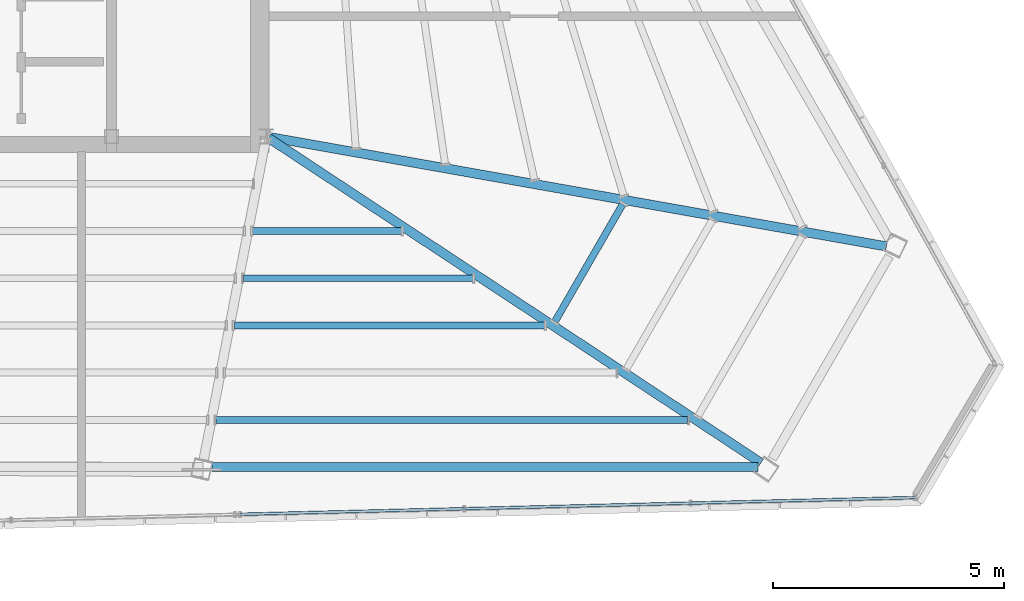
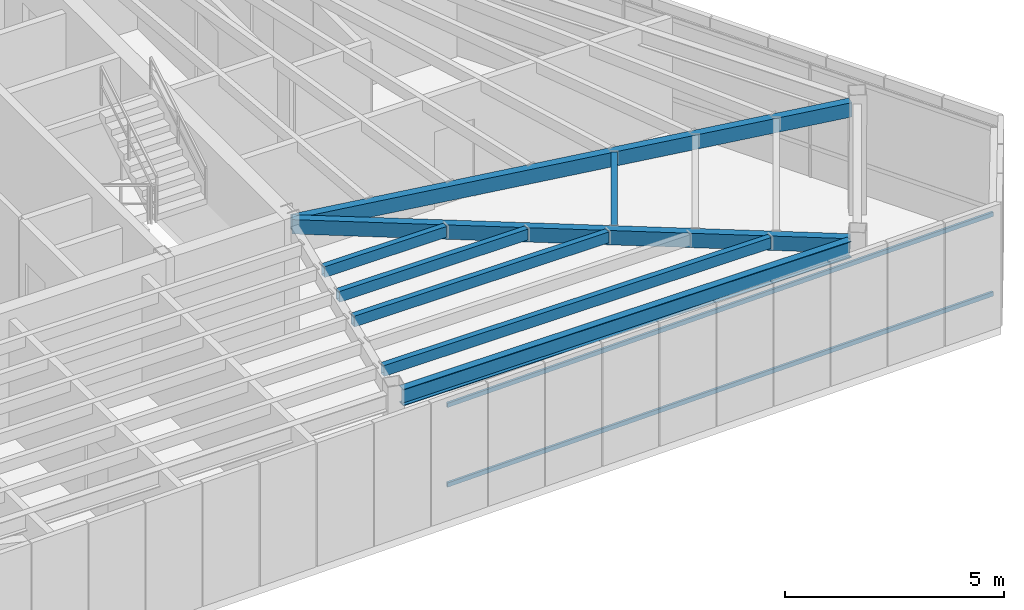
# One storey, part 22 of 48: 8 beams, 2 members, 1 element without a shape of its own.
"""IFC4 building model written with IfcOpenShell, lengths in metres."""

from ifc_helpers import new_model, si_unit, direction, frame, origin, origin_2d, place, context, subcontext, project, spatial, hollow_rectangle, i_section, extrude, source, transform, mapped, material, material_profile, profile_set, type_object, type_shapes, element, aggregate, save


model = new_model("IFC4")

# Units and contexts
model_context = context("Model", 3, precision=1e-05, world=origin(), true_north=direction((0.0, 1.0)))
body_context = subcontext(model_context, "Body", "Model", "MODEL_VIEW")
ifc_project = project(units=[si_unit("LENGTHUNIT", "METRE"), si_unit("AREAUNIT", "SQUARE_METRE"), si_unit("VOLUMEUNIT", "CUBIC_METRE"), si_unit("PLANEANGLEUNIT", "RADIAN"), si_unit("MASSUNIT", "GRAM", prefix="KILO")], contexts=[model_context])

# Site, building, storey
site_placement = place(None, origin())
site = spatial("IfcSite", under=ifc_project, at=site_placement, CompositionType="ELEMENT")
building_placement = place(site_placement, origin())
building = spatial("IfcBuilding", under=site, at=building_placement, Name="Caelisora Broadcast Tower", CompositionType="ELEMENT")
storey_placement = place(building_placement, frame((0.0, 0.0, 300.0)))
storey = spatial("IfcBuildingStorey", under=building, at=storey_placement, Name="L79", CompositionType="ELEMENT", Elevation=300.0)

# Beams
ifc_material_1 = material(Name="Steel Grade 350 (AS/NZS 3679.1)", Category="steel")
ifc_material_profile_1 = material_profile(ifc_material_1, i_section(OverallWidth=0.19091796875, OverallDepth=0.46044921875, WebThickness=0.010009765625, FlangeThickness=0.01611328125, at=origin_2d()), Name="Steel Grade 350 (AS/NZS 3679.1)")
ifc_profile_set_1 = profile_set([ifc_material_profile_1], Name="Steel Grade 350 (AS/NZS 3679.1)")
beam_type_1 = type_object("IfcBeamType", Name="PG06", PredefinedType="BEAM", material=ifc_profile_set_1)
shared_shape_1 = source(origin(), body_context, "Body", "SweptSolid", [
    extrude(i_section(OverallWidth=0.19091796875, OverallDepth=0.46044921875, WebThickness=0.010009765625, FlangeThickness=0.01611328125, at=origin_2d()), origin(), (0.0, 0.0, 1.0), 11.809326171875),
])
type_shapes(beam_type_1, [shared_shape_1])
beam_1_placement = place(storey_placement, frame((44.32080078125, 10.25, 2.919921875), z_axis=(1.0, 0.0, 0.0), x_axis=(0.0, 1.0, 0.0)))
element("IfcBeam", 1, at=beam_1_placement, inside=storey, type_object=beam_type_1, Name="L79 beam PG06", PredefinedType="BEAM", context=body_context, shape_type="MappedRepresentation", body=[
    mapped(shared_shape_1, transform((0.0, 0.0, 0.0), scale=1.0)),
])
ifc_material_2 = material(Name="Steel Grade 350 (AS/NZS 1163 C350L0)", Category="steel")
ifc_material_profile_2 = material_profile(ifc_material_2, hollow_rectangle(XDim=0.199951171875, YDim=0.39990234375, WallThickness=0.012451171875, at=origin_2d()), Name="Steel Grade 350 (AS/NZS 1163 C350L0)")
ifc_profile_set_2 = profile_set([ifc_material_profile_2], Name="Steel Grade 350 (AS/NZS 1163 C350L0)")
beam_type_2 = type_object("IfcBeamType", Name="PG07", PredefinedType="BEAM", material=ifc_profile_set_2)
shared_shape_2 = source(origin(), body_context, "Body", "SweptSolid", [
    extrude(hollow_rectangle(XDim=0.199951171875, YDim=0.39990234375, WallThickness=0.012451171875, at=origin_2d()), origin(), (0.0, 0.0, 1.0), 13.560546875),
])
beam_2_placement = place(storey_placement, frame((45.55908203125, 17.389404296875, 2.949951171875), z_axis=(0.984655515058, -0.174509359823, 0.0), x_axis=(0.174509359823, 0.984655515058, 0.0)))
element("IfcBeam", 2, at=beam_2_placement, inside=storey, type_object=beam_type_2, Name="L79 beam PG07", PredefinedType="BEAM", context=body_context, shape_type="MappedRepresentation", body=[
    mapped(shared_shape_2, transform((0.0, 0.0, 0.0), scale=1.0)),
])
shared_shape_3 = source(origin(), body_context, "Body", "SweptSolid", [
    extrude(hollow_rectangle(XDim=0.199951171875, YDim=0.39990234375, WallThickness=0.012451171875, at=origin_2d()), origin(), (0.0, 0.0, 1.0), 12.756103515625),
])
type_shapes(beam_type_2, [shared_shape_2, shared_shape_3])
beam_3_placement = place(storey_placement, frame((45.550048828125, 17.366943359375, 2.949951171875), z_axis=(0.83472588535, -0.550665684718, 0.0), x_axis=(0.550665684718, 0.83472588535, 0.0)))
element("IfcBeam", 3, at=beam_3_placement, inside=storey, type_object=beam_type_2, Name="L79 beam PG07", PredefinedType="BEAM", context=body_context, shape_type="MappedRepresentation", body=[
    mapped(shared_shape_3, transform((0.0, 0.0, 0.0), scale=1.0)),
])
ifc_material_profile_3 = material_profile(ifc_material_2, hollow_rectangle(XDim=0.14990234375, YDim=0.300048828125, WallThickness=0.010009765625, at=origin_2d()), Name="Steel Grade 350 (AS/NZS 1163 C350L0)")
ifc_profile_set_3 = profile_set([ifc_material_profile_3], Name="Steel Grade 350 (AS/NZS 1163 C350L0)")
beam_type_3 = type_object("IfcBeamType", Name="SB05", PredefinedType="JOIST", material=ifc_profile_set_3)
shared_shape_4 = source(origin(), body_context, "Body", "SweptSolid", [
    extrude(hollow_rectangle(XDim=0.14990234375, YDim=0.300048828125, WallThickness=0.010009765625, at=origin_2d()), origin(), (0.0, 0.0, 1.0), 2.929443359375),
])
beam_4_placement = place(storey_placement, frame((51.74169921875, 13.3984375, 3.0), z_axis=(0.500047088248, 0.865998215665, 0.0), x_axis=(-0.865998215665, 0.500047088248, 0.0)))
element("IfcBeam", 4, at=beam_4_placement, inside=storey, type_object=beam_type_3, Name="L79 beam SB05", PredefinedType="JOIST", context=body_context, shape_type="MappedRepresentation", body=[
    mapped(shared_shape_4, transform((0.0, 0.0, 0.0), scale=1.0)),
])
shared_shape_5 = source(origin(), body_context, "Body", "SweptSolid", [
    extrude(hollow_rectangle(XDim=0.14990234375, YDim=0.300048828125, WallThickness=0.010009765625, at=origin_2d()), origin(), (0.0, 0.0, 1.0), 3.215576171875),
])
beam_5_placement = place(storey_placement, frame((45.202392578125, 15.357177734375, 3.0), z_axis=(1.0, 0.0, 0.0), x_axis=(0.0, 1.0, 0.0)))
element("IfcBeam", 5, at=beam_5_placement, inside=storey, type_object=beam_type_3, Name="L79 beam SB05", PredefinedType="JOIST", context=body_context, shape_type="MappedRepresentation", body=[
    mapped(shared_shape_5, transform((0.0, 0.0, 0.0), scale=1.0)),
])
shared_shape_6 = source(origin(), body_context, "Body", "SweptSolid", [
    extrude(hollow_rectangle(XDim=0.14990234375, YDim=0.300048828125, WallThickness=0.010009765625, at=origin_2d()), origin(), (0.0, 0.0, 1.0), 4.9619140625),
])
beam_6_placement = place(storey_placement, frame((45.00439453125, 14.335693359375, 3.0), z_axis=(1.0, 0.0, 0.0), x_axis=(0.0, 1.0, 0.0)))
element("IfcBeam", 6, at=beam_6_placement, inside=storey, type_object=beam_type_3, Name="L79 beam SB05", PredefinedType="JOIST", context=body_context, shape_type="MappedRepresentation", body=[
    mapped(shared_shape_6, transform((0.0, 0.0, 0.0), scale=1.0)),
])
shared_shape_7 = source(origin(), body_context, "Body", "SweptSolid", [
    extrude(hollow_rectangle(XDim=0.14990234375, YDim=0.300048828125, WallThickness=0.010009765625, at=origin_2d()), origin(), (0.0, 0.0, 1.0), 6.70849609375),
])
beam_7_placement = place(storey_placement, frame((44.80615234375, 13.314208984375, 3.0), z_axis=(1.0, 0.0, 0.0), x_axis=(0.0, 1.0, 0.0)))
element("IfcBeam", 7, at=beam_7_placement, inside=storey, type_object=beam_type_3, Name="L79 beam SB05", PredefinedType="JOIST", context=body_context, shape_type="MappedRepresentation", body=[
    mapped(shared_shape_7, transform((0.0, 0.0, 0.0), scale=1.0)),
])
shared_shape_8 = source(origin(), body_context, "Body", "SweptSolid", [
    extrude(hollow_rectangle(XDim=0.14990234375, YDim=0.300048828125, WallThickness=0.010009765625, at=origin_2d()), origin(), (0.0, 0.0, 1.0), 10.201171875),
])
type_shapes(beam_type_3, [shared_shape_4, shared_shape_5, shared_shape_6, shared_shape_7, shared_shape_8])
beam_8_placement = place(storey_placement, frame((44.409912109375, 11.271484375, 3.0), z_axis=(1.0, 0.0, 0.0), x_axis=(0.0, 1.0, 0.0)))
element("IfcBeam", 8, at=beam_8_placement, inside=storey, type_object=beam_type_3, Name="L79 beam SB05", PredefinedType="JOIST", context=body_context, shape_type="MappedRepresentation", body=[
    mapped(shared_shape_8, transform((0.0, 0.0, 0.0), scale=1.0)),
])

# Curtain wall, members
ifc_material_3 = material(Name="Unitised Aluminium Insulated Shadow-Box Spandrel Curtain Wall", Category="aluminium")
curtain_wall_type = type_object("IfcCurtainWallType", Name="CW-SP3", PredefinedType="NOTDEFINED", material=ifc_material_3)
curtain_wall_placement = place(storey_placement, origin())
curtain_wall = element("IfcCurtainWall", 9, at=curtain_wall_placement, inside=storey, type_object=curtain_wall_type, Name="L79 curtain wall CW-SP3", PredefinedType="NOTDEFINED")
ifc_material_4 = material(Name="Aluminium 6063-T6 Anodised Terracotta Bronze", Category="aluminium")
ifc_material_profile_4 = material_profile(ifc_material_4, hollow_rectangle(XDim=0.06005859375, YDim=0.1201171875, WallThickness=0.0029296875, at=origin_2d()), Name="Aluminium 6063-T6 Anodised Terracotta Bronze")
ifc_profile_set_4 = profile_set([ifc_material_profile_4], Name="Aluminium 6063-T6 Anodised Terracotta Bronze")
member_type = type_object("IfcMemberType", Name="CWT-03", PredefinedType="USERDEFINED", material=ifc_profile_set_4)
shared_shape_9 = source(origin(), body_context, "Body", "SweptSolid", [
    extrude(hollow_rectangle(XDim=0.06005859375, YDim=0.1201171875, WallThickness=0.0029296875, at=origin_2d()), origin(), (0.0, 0.0, 1.0), 14.595458984375),
])
type_shapes(member_type, [shared_shape_9])
member_1_placement = place(storey_placement, frame((59.52294921875, 9.5908203125, 0.85009765625), z_axis=(-0.999692278415, -0.024806218504, 0.0), x_axis=(0.024806218504, -0.999692278415, 0.0)))
member_1 = element("IfcMember", 10, at=member_1_placement, type_object=member_type, Name="L79-CW-B05 transom #1", ObjectType="TRANSOM", PredefinedType="USERDEFINED", context=body_context, shape_type="MappedRepresentation", body=[
    mapped(shared_shape_9, transform((0.0, 0.0, 0.0), scale=1.0)),
])
member_2_placement = place(storey_placement, frame((59.52294921875, 9.5908203125, 3.070068359375), z_axis=(-0.999692278415, -0.024806218504, 0.0), x_axis=(0.024806218504, -0.999692278415, 0.0)))
member_2 = element("IfcMember", 11, at=member_2_placement, type_object=member_type, Name="L79-CW-B05 transom #2", ObjectType="TRANSOM", PredefinedType="USERDEFINED", context=body_context, shape_type="MappedRepresentation", body=[
    mapped(shared_shape_9, transform((0.0, 0.0, 0.0), scale=1.0)),
])
aggregate(curtain_wall, [member_1, member_2])

save(model, "model.ifc")
